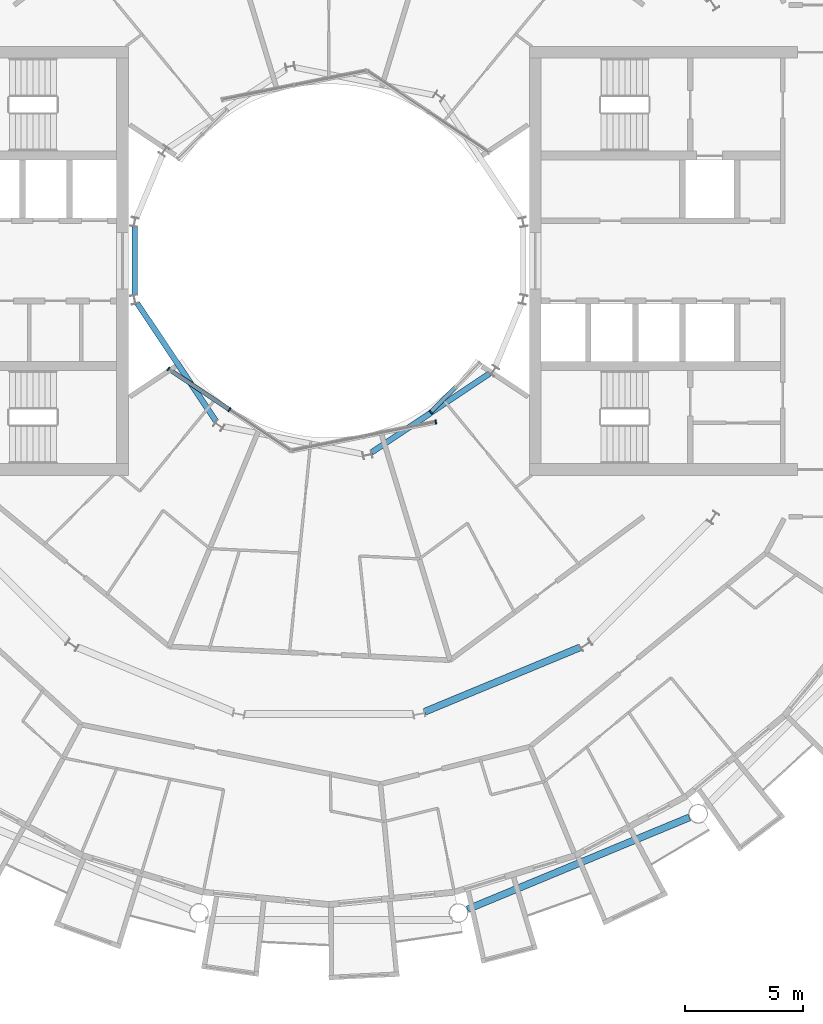
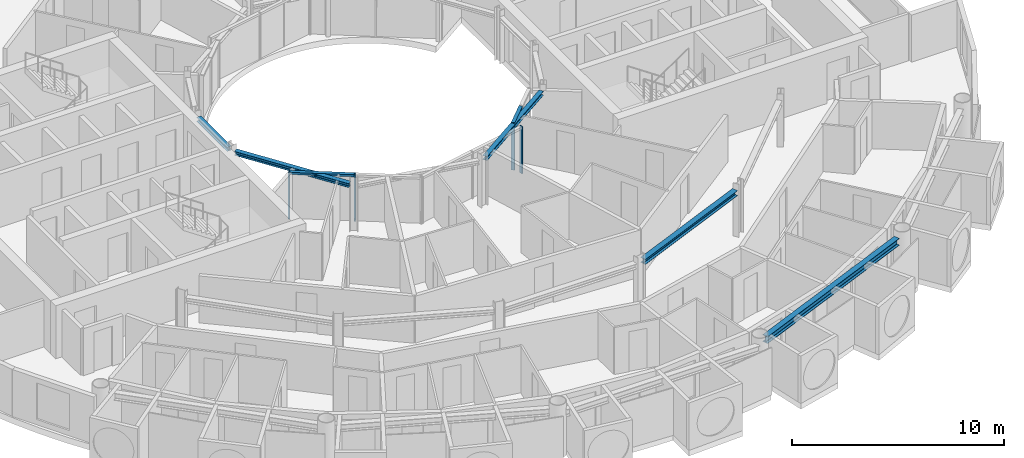
# One storey, part 6 of 27: 6 members, 5 beams, 3 elements without a shape of their own.
"""IFC4 building model written with IfcOpenShell, lengths in metres."""

from ifc_helpers import new_model, si_unit, direction, frame, origin, origin_2d, place, context, subcontext, project, spatial, rectangle, i_section, extrude, material, layer, layer_set, material_profile, profile_set, type_object, element, aggregate, save


model = new_model("IFC4")

# Units and contexts
model_context = context("Model", 3, precision=1e-05, world=origin(), true_north=direction((0.0, 1.0)))
body_context = subcontext(model_context, "Body", "Model", "MODEL_VIEW")
ifc_project = project(units=[si_unit("LENGTHUNIT", "METRE"), si_unit("AREAUNIT", "SQUARE_METRE"), si_unit("VOLUMEUNIT", "CUBIC_METRE"), si_unit("PLANEANGLEUNIT", "RADIAN"), si_unit("MASSUNIT", "GRAM", prefix="KILO")], contexts=[model_context])

# Site, building, storey
site_placement = place(None, origin())
site = spatial("IfcSite", under=ifc_project, at=site_placement, CompositionType="ELEMENT")
building_placement = place(site_placement, origin())
building = spatial("IfcBuilding", under=site, at=building_placement, Name="Maasbend Ring Residences", CompositionType="ELEMENT")
storey_placement = place(building_placement, frame((0.0, 0.0, 151.300048828125)))
storey = spatial("IfcBuildingStorey", under=building, at=storey_placement, Name="L43", CompositionType="ELEMENT", Elevation=151.300048828125)

# Curtain wall, members
ifc_material_1 = material(Name="Aluminium and clear glass", Category="aluminium")
ifc_layer = layer(ifc_material_1, 0.179931640625)
ifc_layer_set = layer_set([ifc_layer], Name="CW-W")
curtain_wall_type = type_object("IfcCurtainWallType", Name="CW-W", PredefinedType="NOTDEFINED", material=ifc_layer_set)
curtain_wall_1_placement = place(storey_placement, origin())
curtain_wall_1 = element("IfcCurtainWall", 1, at=curtain_wall_1_placement, inside=storey, type_object=curtain_wall_type, Name="Well curtain wall S1", PredefinedType="NOTDEFINED")
ifc_material_2 = material(Name="Aluminium 6063-T6", Category="aluminium")
ifc_material_profile_1 = material_profile(ifc_material_2, rectangle(XDim=0.179931640625, YDim=0.06005859375, at=origin_2d()), Name="AL 180x60")
ifc_profile_set_1 = profile_set([ifc_material_profile_1], Name="Aluminium 6063-T6")
member_type_1 = type_object("IfcMemberType", Name="CWM-W", PredefinedType="MULLION", material=ifc_profile_set_1)
member_1_placement = place(storey_placement, frame((-6.805908203125, -4.580810546875, 0.0), z_axis=(0.0, 0.0, 1.0), x_axis=(0.55557023302, 0.831469612303, 0.0)))
member_1 = element("IfcMember", 2, at=member_1_placement, type_object=member_type_1, Name="Mullion well face", PredefinedType="MULLION", context=body_context, shape_type="SweptSolid", body=[
    extrude(rectangle(XDim=0.179931640625, YDim=0.06005859375, at=origin_2d()), origin(), (0.0, 0.0, 1.0), 2.699951171875),
])
member_2_placement = place(storey_placement, frame((-4.216796875, -6.310791015625, 0.0), z_axis=(0.0, 0.0, 1.0), x_axis=(0.55557023302, 0.831469612303, 0.0)))
member_2 = element("IfcMember", 3, at=member_2_placement, type_object=member_type_1, Name="Mullion well face", PredefinedType="MULLION", context=body_context, shape_type="SweptSolid", body=[
    extrude(rectangle(XDim=0.179931640625, YDim=0.06005859375, at=origin_2d()), origin(), (0.0, 0.0, 1.0), 2.699951171875),
])

# Curtain wall, member
curtain_wall_2_placement = place(storey_placement, origin())
curtain_wall_2 = element("IfcCurtainWall", 4, at=curtain_wall_2_placement, inside=storey, type_object=curtain_wall_type, Name="Well curtain wall S2", PredefinedType="NOTDEFINED")
member_3_placement = place(storey_placement, frame((4.53466796875, -6.836669921875, 0.0), z_axis=(0.0, 0.0, 1.0), x_axis=(-0.195090322016, 0.980785280403, 0.0)))
member_3 = element("IfcMember", 5, at=member_3_placement, type_object=member_type_1, Name="Mullion well face", PredefinedType="MULLION", context=body_context, shape_type="SweptSolid", body=[
    extrude(rectangle(XDim=0.179931640625, YDim=0.06005859375, at=origin_2d()), origin(), (0.0, 0.0, 1.0), 2.699951171875),
])
aggregate(curtain_wall_2, [member_3])

curtain_wall_3_placement = place(storey_placement, origin())
curtain_wall_3 = element("IfcCurtainWall", 6, at=curtain_wall_3_placement, inside=storey, type_object=curtain_wall_type, Name="Well curtain wall S3", PredefinedType="NOTDEFINED")
member_4_placement = place(storey_placement, frame((4.320556640625, -6.413330078125, 0.0), z_axis=(0.0, 0.0, 1.0), x_axis=(-0.707106781187, 0.707106781187, 0.0)))
member_4 = element("IfcMember", 7, at=member_4_placement, type_object=member_type_1, Name="Mullion well face", PredefinedType="MULLION", context=body_context, shape_type="SweptSolid", body=[
    extrude(rectangle(XDim=0.179931640625, YDim=0.06005859375, at=origin_2d()), origin(), (0.0, 0.0, 1.0), 2.699951171875),
])

# Member
ifc_material_3 = material(Name="Aluminium 6063-T6", Category="aluminium")
ifc_material_profile_2 = material_profile(ifc_material_3, rectangle(XDim=0.179931640625, YDim=0.1201171875, at=origin_2d()), Name="AL 180x120")
ifc_profile_set_2 = profile_set([ifc_material_profile_2], Name="Aluminium 6063-T6")
member_type_2 = type_object("IfcMemberType", Name="CWT-W", PredefinedType="USERDEFINED", material=ifc_profile_set_2)
member_5_placement = place(storey_placement, frame((-6.781005859375, -4.59765625, 2.639892578125), z_axis=(0.831496422459, -0.555530106689, 0.0), x_axis=(0.555530106689, 0.831496422459, 0.0)))
member_5 = element("IfcMember", 8, at=member_5_placement, type_object=member_type_2, Name="Transom well face", ObjectType="TRANSOM", PredefinedType="USERDEFINED", context=body_context, shape_type="SweptSolid", body=[
    extrude(rectangle(XDim=0.179931640625, YDim=0.1201171875, at=origin_2d()), origin(), (0.0, 0.0, 1.0), 3.053955078125),
])

aggregate(curtain_wall_1, [member_1, member_2, member_5])

member_6_placement = place(storey_placement, frame((4.341796875, -6.39208984375, 2.639892578125), z_axis=(0.707106781187, 0.707106781187, 0.0), x_axis=(-0.707106781187, 0.707106781187, 0.0)))
member_6 = element("IfcMember", 9, at=member_6_placement, type_object=member_type_2, Name="Transom well face", ObjectType="TRANSOM", PredefinedType="USERDEFINED", context=body_context, shape_type="SweptSolid", body=[
    extrude(rectangle(XDim=0.179931640625, YDim=0.1201171875, at=origin_2d()), origin(), (0.0, 0.0, 1.0), 1.419677734375),
])

aggregate(curtain_wall_3, [member_4, member_6])

# Beams
ifc_material_4 = material(Name="Steel S355J2", Category="steel")
ifc_material_profile_3 = material_profile(ifc_material_4, i_section(OverallWidth=0.300048828125, OverallDepth=0.2900390625, WebThickness=0.008544921875, FlangeThickness=0.013916015625, FilletRadius=0.027099609375, at=origin_2d()), Name="HEA 300")
ifc_profile_set_3 = profile_set([ifc_material_profile_3], Name="Steel S355J2")
beam_type_1 = type_object("IfcBeamType", Name="Corridor ring beam HEA 300", PredefinedType="BEAM", material=ifc_profile_set_3)
beam_1_placement = place(storey_placement, frame((4.059326171875, -19.1259765625, 2.554931640625), z_axis=(0.923871339849, 0.382703210602, 0.0), x_axis=(-0.382703210602, 0.923871339849, 0.0)))
element("IfcBeam", 10, at=beam_1_placement, inside=storey, type_object=beam_type_1, Name="Corridor ring beam", PredefinedType="BEAM", context=body_context, shape_type="SweptSolid", body=[
    extrude(i_section(OverallWidth=0.300048828125, OverallDepth=0.2900390625, WebThickness=0.008544921875, FlangeThickness=0.013916015625, FilletRadius=0.027099609375, at=origin_2d()), origin(), (0.0, 0.0, 1.0), 7.137939453125),
])
ifc_material_5 = material(Name="Steel S355J2", Category="steel")
ifc_material_profile_4 = material_profile(ifc_material_5, i_section(OverallWidth=0.300048828125, OverallDepth=0.39990234375, WebThickness=0.013427734375, FlangeThickness=0.02392578125, FilletRadius=0.027099609375, at=origin_2d()), Name="HEB 400")
ifc_profile_set_4 = profile_set([ifc_material_profile_4], Name="Steel S355J2")
beam_type_2 = type_object("IfcBeamType", Name="Spandrel ring beam HEB 400", PredefinedType="SPANDREL", material=ifc_profile_set_4)
beam_2_placement = place(storey_placement, frame((5.877197265625, -27.50244140625, 2.5), z_axis=(0.923883676188, 0.382673428492, 0.0), x_axis=(-0.382673428492, 0.923883676188, 0.0)))
element("IfcBeam", 11, at=beam_2_placement, inside=storey, type_object=beam_type_2, Name="Spandrel ring beam", PredefinedType="SPANDREL", context=body_context, shape_type="SweptSolid", body=[
    extrude(i_section(OverallWidth=0.300048828125, OverallDepth=0.39990234375, WebThickness=0.013427734375, FlangeThickness=0.02392578125, FilletRadius=0.027099609375, at=origin_2d()), origin(), (0.0, 0.0, 1.0), 10.18994140625),
])
ifc_material_6 = material(Name="Steel S355J2", Category="steel")
ifc_material_profile_5 = material_profile(ifc_material_6, i_section(OverallWidth=0.239990234375, OverallDepth=0.22998046875, WebThickness=0.007568359375, FlangeThickness=0.011962890625, FilletRadius=0.02099609375, at=origin_2d()), Name="HEA 240")
ifc_profile_set_5 = profile_set([ifc_material_profile_5], Name="Steel S355J2")
beam_type_3 = type_object("IfcBeamType", Name="Well edge beam HEA 240", PredefinedType="BEAM", material=ifc_profile_set_5)
beam_3_placement = place(storey_placement, frame((-8.238525390625, 1.43994140625, 2.5849609375), z_axis=(0.0, -1.0, 0.0), x_axis=(1.0, 0.0, 0.0)))
element("IfcBeam", 12, at=beam_3_placement, inside=storey, type_object=beam_type_3, Name="Well edge beam", PredefinedType="BEAM", context=body_context, shape_type="SweptSolid", body=[
    extrude(i_section(OverallWidth=0.239990234375, OverallDepth=0.22998046875, WebThickness=0.007568359375, FlangeThickness=0.011962890625, FilletRadius=0.02099609375, at=origin_2d()), origin(), (0.0, 0.0, 1.0), 2.8798828125),
])
for number, where, z_axis, x_axis, name in (
    (13, (-8.121337890625, -1.814208984375, 2.5849609375), (0.555553413909, -0.831480850227, 0.0), (0.831480850227, 0.555553413909, 0.0), "Well edge beam"),
    (14, (1.814208984375, -8.121337890625, 2.5849609375), (0.831480850227, 0.555553413909, 0.0), (-0.555553413909, 0.831480850227, 0.0), "Well edge beam"),
):
    element("IfcBeam", number, at=place(storey_placement, frame(where, z_axis=z_axis, x_axis=x_axis)), inside=storey, type_object=beam_type_3, Name=name, PredefinedType="BEAM", context=body_context, shape_type="SweptSolid", body=[
        extrude(i_section(OverallWidth=0.239990234375, OverallDepth=0.22998046875, WebThickness=0.007568359375, FlangeThickness=0.011962890625, FilletRadius=0.02099609375, at=origin_2d()), origin(), (0.0, 0.0, 1.0), 6.0068359375),
    ])

save(model, "model.ifc")
